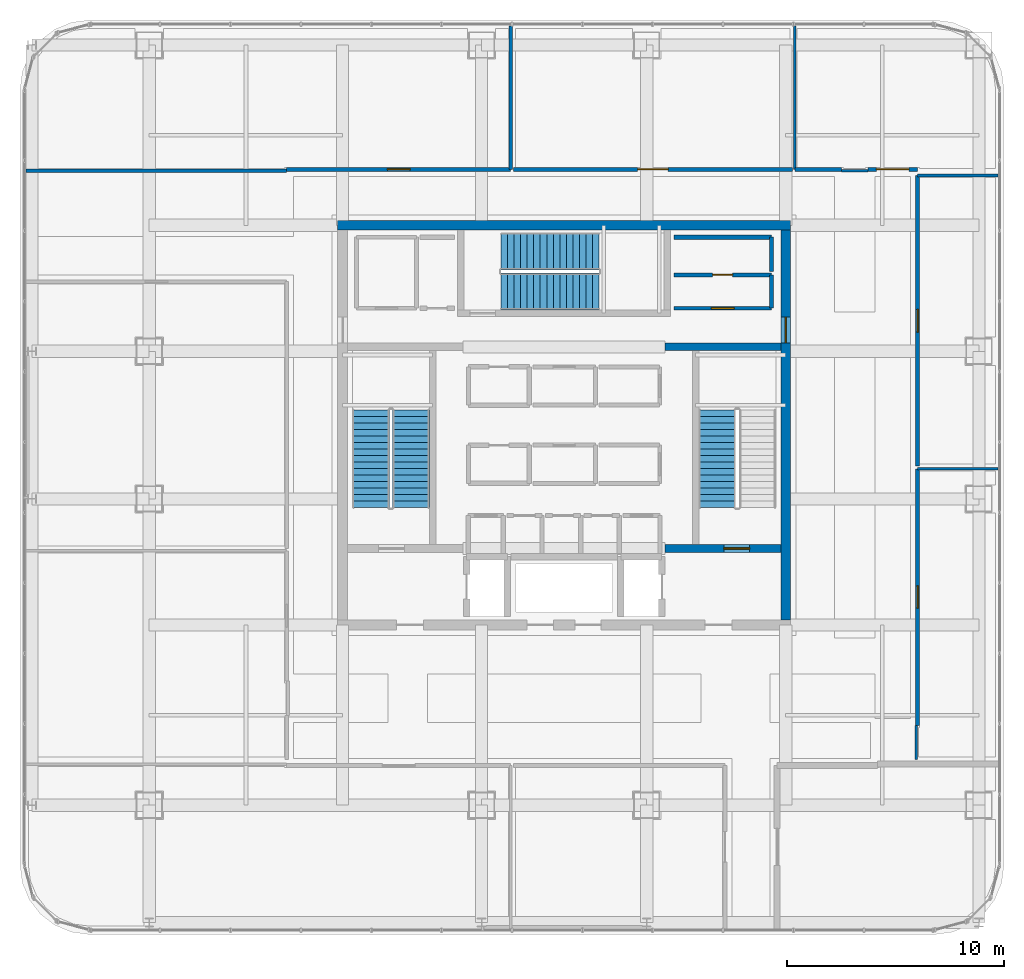
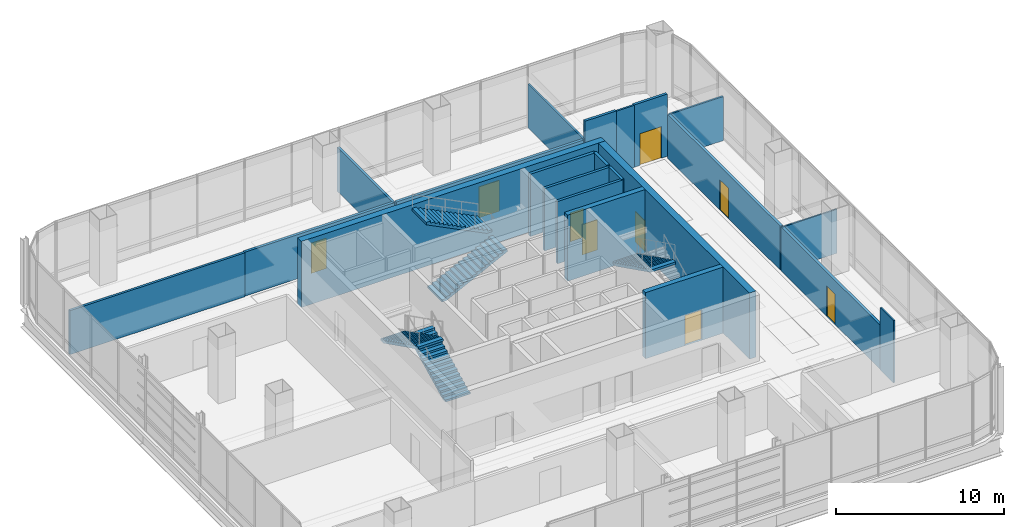
# One storey, part 38 of 45: 22 walls, 9 doors, 5 stair flights, 9 openings, 3 elements without a shape of their own.
"""IFC4 building model written with IfcOpenShell, lengths in metres."""

import ifcopenshell
import ifcopenshell.guid

model = None  # the IFC model being written
_history = None  # IfcOwnerHistory: only IFC2X3 demands one
_inside = {}  # id of a spatial element -> (the spatial element, [elements in it])
_under = {}  # id of a project, library or spatial element -> (it, [spatial elements below it])
_declared = {}  # id of a project -> (the project, [libraries it declares])
_typed = {}  # id of a type object -> (the type object, [elements of that type])
_made_of = {}  # id of a material, layer set ... -> (it, [elements and type objects made of it])


def new_model(schema):
    """Start an empty IFC model of exactly this schema.

    Asked for "IFC4X3", IfcOpenShell would pick the latest addendum, in which some entities
    have other attributes; the version numbers below select the first issue.
    IFC2X3 requires an IfcOwnerHistory on every rooted entity: one is made here for all.
    """
    global model, _history
    if schema == "IFC4X3":
        model = ifcopenshell.file(schema_version=(4, 3, 0, 0))
    else:
        model = ifcopenshell.file(schema=schema)
    _inside.clear()
    _under.clear()
    _declared.clear()
    _typed.clear()
    _made_of.clear()
    _history = None
    if model.schema == "IFC2X3":
        org = make("IfcOrganization", Name="unknown")
        user = make(
            "IfcPersonAndOrganization",
            ThePerson=make("IfcPerson", FamilyName="unknown"),
            TheOrganization=org,
        )
        app = make(
            "IfcApplication",
            ApplicationDeveloper=org,
            Version="unknown",
            ApplicationFullName="unknown",
            ApplicationIdentifier="unknown",
        )
        _history = make(
            "IfcOwnerHistory",
            OwningUser=user,
            OwningApplication=app,
            ChangeAction="ADDED",
            CreationDate=0,
        )
    return model


def make(cls, **values):
    """One entity of the class cls with the attributes given. An attribute that is None is left unset."""
    return model.create_entity(
        cls, **{name: value for name, value in values.items() if value is not None}
    )


def rooted(cls, **values):
    """An entity with a GlobalId (a new one), such as an element, a storey or a relation."""
    return make(cls, GlobalId=ifcopenshell.guid.new(), OwnerHistory=_history, **values)


def si_unit(unit_type, name, prefix=None):
    """IfcSIUnit, for example si_unit("LENGTHUNIT", "METRE", prefix="MILLI")."""
    return make("IfcSIUnit", UnitType=unit_type, Prefix=prefix, Name=name)


def assignment(units):
    """IfcUnitAssignment: the units of a project."""
    return None if units is None else make("IfcUnitAssignment", Units=units)


def point(xyz):
    """IfcCartesianPoint."""
    return None if xyz is None else make("IfcCartesianPoint", Coordinates=xyz)


def direction(xyz):
    """IfcDirection."""
    return None if xyz is None else make("IfcDirection", DirectionRatios=xyz)


def frame(location, z_axis=None, x_axis=None):
    """IfcAxis2Placement3D, a coordinate frame: its origin and axes. An axis left out is left unset."""
    return make(
        "IfcAxis2Placement3D",
        Location=point(location),
        Axis=direction(z_axis),
        RefDirection=direction(x_axis),
    )


def frame_2d(location, x_axis=None):
    """IfcAxis2Placement2D, a coordinate frame in the plane: its origin and x axis."""
    return make(
        "IfcAxis2Placement2D", Location=point(location), RefDirection=direction(x_axis)
    )


def origin():
    """The frame at (0, 0, 0) with its axes left unset."""
    return frame((0.0, 0.0, 0.0))


def place(relative_to, where):
    """IfcLocalPlacement: puts the frame where relative to a parent placement (None: the world)."""
    return make(
        "IfcLocalPlacement", PlacementRelTo=relative_to, RelativePlacement=where
    )


def context(
    kind, dimensions, precision=None, world=None, true_north=None, identifier=None
):
    """IfcGeometricRepresentationContext, for example the 3D "Model" context."""
    return make(
        "IfcGeometricRepresentationContext",
        ContextIdentifier=identifier,
        ContextType=kind,
        CoordinateSpaceDimension=dimensions,
        Precision=precision,
        WorldCoordinateSystem=world,
        TrueNorth=true_north,
    )


def subcontext(parent, identifier, kind, view, scale=None):
    """IfcGeometricRepresentationSubContext, for example "Body" below "Model"."""
    return make(
        "IfcGeometricRepresentationSubContext",
        ContextIdentifier=identifier,
        ContextType=kind,
        ParentContext=parent,
        TargetScale=scale,
        TargetView=view,
    )


def project(units=None, contexts=None):
    """IfcProject with its units and contexts."""
    return rooted(
        "IfcProject",
        Name="project",
        RepresentationContexts=contexts,
        UnitsInContext=assignment(units),
    )


def spatial(cls, under=None, at=None, **own):
    """A site, building, storey or space (cls), placed at a placement, below another one or the project."""
    s = rooted(cls, ObjectPlacement=at, **own)
    if under is not None:
        _under.setdefault(under.id(), (under, []))[1].append(s)
    return s


def polyline(points):
    """IfcPolyline through the points."""
    return make("IfcPolyline", Points=[point(p) for p in points])


def profile(cls, at=None, kind="AREA", **sizes):
    """A parametric profile (cls). Its sizes go by their IFC names, for example OverallWidth=200.0."""
    return make(cls, ProfileType=kind, Position=at, **sizes)


def rectangle(**sizes):
    """IfcRectangleProfileDef."""
    return profile("IfcRectangleProfileDef", **sizes)


def outline(outer, holes=None, kind="AREA"):
    """IfcArbitraryClosedProfileDef: a profile drawn as a closed curve; with holes, ...WithVoids."""
    if holes is None:
        return make("IfcArbitraryClosedProfileDef", ProfileType=kind, OuterCurve=outer)
    return make(
        "IfcArbitraryProfileDefWithVoids",
        ProfileType=kind,
        OuterCurve=outer,
        InnerCurves=holes,
    )


def extrude(swept, where, along, depth):
    """IfcExtrudedAreaSolid: the profile swept, set in the frame where, extruded along a direction by depth."""
    return make(
        "IfcExtrudedAreaSolid",
        SweptArea=swept,
        Position=where,
        ExtrudedDirection=direction(along),
        Depth=depth,
    )


def shape(context_of_items, identifier, shape_type, items):
    """IfcShapeRepresentation: the items that make up one representation, for example the "Body"."""
    return make(
        "IfcShapeRepresentation",
        ContextOfItems=context_of_items,
        RepresentationIdentifier=identifier,
        RepresentationType=shape_type,
        Items=items,
    )


def material(Name=None, Category=None):
    """IfcMaterial."""
    return make("IfcMaterial", Name=Name, Category=Category)


def layer(
    of_material, thickness, ventilated=None, Name=None, Category=None, Priority=None
):
    """IfcMaterialLayer: one layer of a wall or slab, of a material (None: an air gap)."""
    return make(
        "IfcMaterialLayer",
        Material=of_material,
        LayerThickness=thickness,
        IsVentilated=ventilated,
        Name=Name,
        Category=Category,
        Priority=Priority,
    )


def layer_set(layers, Name=None):
    """IfcMaterialLayerSet."""
    return make("IfcMaterialLayerSet", MaterialLayers=layers, LayerSetName=Name)


def made_of(thing, what):
    """Note that an element or type object is made of a material, layer set ...; save() writes the relation."""
    if what is not None:
        _made_of.setdefault(what.id(), (what, []))[1].append(thing)
    return thing


def type_object(cls, material=None, **own):
    """A type object (cls), such as IfcWallType, which elements share."""
    return made_of(rooted(cls, **own), material)


def element(
    cls,
    number,
    at=None,
    inside=None,
    cuts=None,
    type_object=None,
    material=None,
    context=None,
    identifier="Body",
    shape_type=None,
    held_by="IfcProductDefinitionShape",
    body=None,
    shapes=None,
    **own,
):
    """One element of the class cls, such as IfcWall. Its Tag is "e" and its number.

    at: its placement. inside: the storey or other place that contains it. cuts: it is an
    opening in that element (IfcRelVoidsElement). A single representation is given by context,
    identifier, shape_type and body (its items); several are given by shapes. held_by: the class
    of the entity that holds the representations. save() writes the other relations.
    """
    e = rooted(cls, Tag="e%d" % number, ObjectPlacement=at, **own)
    if body is not None:
        shapes = [shape(context, identifier, shape_type, body)]
    if shapes is not None:
        e.Representation = make(held_by, Representations=shapes)
    if inside is not None:
        _inside.setdefault(inside.id(), (inside, []))[1].append(e)
    if cuts is not None:
        rooted(
            "IfcRelVoidsElement", RelatingBuildingElement=cuts, RelatedOpeningElement=e
        )
    if type_object is not None:
        _typed.setdefault(type_object.id(), (type_object, []))[1].append(e)
    return made_of(e, material)


def fill(opening, filler):
    """IfcRelFillsElement: the door or window that sits in an opening."""
    return rooted(
        "IfcRelFillsElement",
        RelatingOpeningElement=opening,
        RelatedBuildingElement=filler,
    )


def aggregate(whole, parts):
    """IfcRelAggregates: a whole, such as a stair, and the parts it consists of."""
    return rooted("IfcRelAggregates", RelatingObject=whole, RelatedObjects=parts)


def save(model, path):
    """Write the relations noted so far, then the file.

    IfcRelAggregates (storeys below a building ...), IfcRelContainedInSpatialStructure (elements
    in a storey), IfcRelDefinesByType, IfcRelAssociatesMaterial and IfcRelDeclares: one each for
    every whole, place, type object, material and project.
    """
    for whole, parts in _under.values():
        aggregate(whole, parts)
    for where, things in _inside.values():
        rooted(
            "IfcRelContainedInSpatialStructure",
            RelatedElements=things,
            RelatingStructure=where,
        )
    for kind, things in _typed.values():
        rooted("IfcRelDefinesByType", RelatedObjects=things, RelatingType=kind)
    for what, things in _made_of.values():
        rooted("IfcRelAssociatesMaterial", RelatedObjects=things, RelatingMaterial=what)
    for by, libraries in _declared.values():
        rooted("IfcRelDeclares", RelatingContext=by, RelatedDefinitions=libraries)
    model.write(path)


model = new_model("IFC4")

# Units and contexts
model_context = context("Model", 3, precision=1e-05, world=origin(), true_north=direction((0.0, 1.0)))
body_context = subcontext(model_context, "Body", "Model", "MODEL_VIEW")
ifc_project = project(units=[si_unit("LENGTHUNIT", "METRE"), si_unit("AREAUNIT", "SQUARE_METRE"), si_unit("VOLUMEUNIT", "CUBIC_METRE"), si_unit("PLANEANGLEUNIT", "RADIAN"), si_unit("MASSUNIT", "GRAM", prefix="KILO")], contexts=[model_context])

# Site, building, storey
site_placement = place(None, origin())
site = spatial("IfcSite", under=ifc_project, at=site_placement, CompositionType="ELEMENT")
building_placement = place(site_placement, origin())
building = spatial("IfcBuilding", under=site, at=building_placement, Name="Punatoya Terracotta Tower", CompositionType="ELEMENT")
storey_placement = place(building_placement, frame((0.0, 0.0, 339.0)))
storey = spatial("IfcBuildingStorey", under=building, at=storey_placement, Name="L80", CompositionType="ELEMENT", Elevation=339.0)

# Wall
ifc_material_1 = material(Name="Concrete C50/60", Category="concrete")
ifc_layer_1 = layer(ifc_material_1, 0.449951171875)
ifc_layer_set_1 = layer_set([ifc_layer_1], Name="Concrete C50/60")
wall_type_1 = type_object("IfcWallType", Name="WL-COR-450", PredefinedType="SHEAR", material=ifc_layer_set_1)
wall_1_placement = place(storey_placement, frame((-10.425048828125, 9.199951171875, 0.0), z_axis=(0.0, 0.0, 1.0), x_axis=(1.0, 0.0, 0.0)))
element("IfcWall", 1, at=wall_1_placement, inside=storey, type_object=wall_type_1, Name="L80 Core Shear Wall N", PredefinedType="SHEAR", context=body_context, shape_type="SweptSolid", body=[
    extrude(rectangle(XDim=20.85009765625, YDim=0.449951171875, at=frame_2d((10.425048828125, 0.0))), origin(), (0.0, 0.0, 1.0), 4.800048828125),
])

# Wall, opening, door
wall_2_placement = place(storey_placement, frame((10.199951171875, 8.97509765625, 0.0), z_axis=(0.0, 0.0, 1.0), x_axis=(0.0, -1.0, 0.0)))
wall_2 = element("IfcWall", 2, at=wall_2_placement, inside=storey, type_object=wall_type_1, Name="L80 Core Shear Wall E", PredefinedType="SHEAR", context=body_context, shape_type="SweptSolid", body=[
    extrude(rectangle(XDim=17.9501953125, YDim=0.449951171875, at=frame_2d((8.97509765625, 0.0))), origin(), (0.0, 0.0, 1.0), 4.800048828125),
])
opening_1_placement = place(wall_2_placement, frame((4.0048828125, 0.0, 0.0)))
opening_1 = element("IfcOpeningElement", 3, at=opening_1_placement, cuts=wall_2, Name="Opening SD-01", PredefinedType="OPENING", context=body_context, shape_type="SweptSolid", body=[
    extrude(rectangle(XDim=1.179931640625, YDim=2.199951171875, at=frame_2d((0.58984375, 1.10009765625))), frame((0.0, 0.23486328125, 0.0), z_axis=(0.0, -1.0, 0.0), x_axis=(1.0, 0.0, 0.0)), (0.0, 0.0, 1.0), 0.469970703125),
])
ifc_material_2 = material(Name="Galvanised Steel Pressurized Stair Fire Door", Category="steel")
door_type_1 = type_object("IfcDoorType", Name="DR-STR-1180", OperationType="NOTDEFINED", PredefinedType="DOOR", material=ifc_material_2)
door_1_placement = place(opening_1_placement, origin())
door_1 = element("IfcDoor", 4, at=door_1_placement, inside=storey, type_object=door_type_1, Name="L80 Central Lift Lobby East Fire Door", OperationType="SINGLE_SWING_RIGHT", OverallHeight=2.199951171875, OverallWidth=1.179931640625, PredefinedType="DOOR", context=body_context, shape_type="SweptSolid", body=[
    extrude(rectangle(XDim=1.179931640625, YDim=2.199951171875, at=frame_2d((0.58984375, 1.10009765625))), frame((0.0, 0.02490234375, 0.0), z_axis=(0.0, -1.0, 0.0), x_axis=(1.0, 0.0, 0.0)), (0.0, 0.0, 1.0), 0.050048828125),
])
fill(opening_1, door_1)

# Wall
ifc_material_3 = material(Name="Gypsum Fireboard + Steel Stud", Category="steel")
ifc_layer_2 = layer(ifc_material_3, 0.179931640625)
ifc_layer_set_2 = layer_set([ifc_layer_2], Name="Gypsum Fireboard + Steel Stud")
wall_type_2 = type_object("IfcWallType", Name="WL-CORR-180", PredefinedType="PARTITIONING", material=ifc_layer_set_2)
wall_3_placement = place(storey_placement, frame((9.550048828125, 5.3798828125, 0.0), z_axis=(0.0, 0.0, 1.0), x_axis=(0.0, 1.0, 0.0)))
element("IfcWall", 5, at=wall_3_placement, inside=storey, type_object=wall_type_2, Name="L80 East Core Reference Room Partition 38", PredefinedType="PARTITIONING", context=body_context, shape_type="SweptSolid", body=[
    extrude(rectangle(XDim=1.5400390625, YDim=0.179931640625, at=frame_2d((0.77001953125, 0.0))), origin(), (0.0, 0.0, 1.0), 4.52001953125),
])

# Wall, opening, door
wall_4_placement = place(storey_placement, frame((9.550048828125, 6.919921875, 0.0), z_axis=(0.0, 0.0, 1.0), x_axis=(-1.0, 0.0, 0.0)))
wall_4 = element("IfcWall", 6, at=wall_4_placement, inside=storey, type_object=wall_type_2, Name="L80 East Core Reference Room Partition 39", PredefinedType="PARTITIONING", context=body_context, shape_type="SweptSolid", body=[
    extrude(rectangle(XDim=4.5, YDim=0.179931640625, at=frame_2d((2.25, 0.0))), origin(), (0.0, 0.0, 1.0), 4.52001953125),
])
opening_2_placement = place(wall_4_placement, frame((1.7900390625, 0.0, 0.0)))
opening_2 = element("IfcOpeningElement", 7, at=opening_2_placement, cuts=wall_4, Name="Opening FD-R1", PredefinedType="OPENING", context=body_context, shape_type="SweptSolid", body=[
    extrude(rectangle(XDim=0.919921875, YDim=2.10009765625, at=frame_2d((0.4599609375, 1.050048828125))), frame((0.0, 0.099853515625, 0.0), z_axis=(0.0, -1.0, 0.0), x_axis=(1.0, 0.0, 0.0)), (0.0, 0.0, 1.0), 0.199951171875),
])
ifc_material_4 = material(Name="Galvanised Steel Riser Fire Access Door", Category="steel")
door_type_2 = type_object("IfcDoorType", Name="DR-RSR-920", OperationType="NOTDEFINED", PredefinedType="DOOR", material=ifc_material_4)
door_2_placement = place(opening_2_placement, origin())
door_2 = element("IfcDoor", 8, at=door_2_placement, inside=storey, type_object=door_type_2, Name="L80 East Core Supply Store Fire Door", OperationType="SINGLE_SWING_RIGHT", OverallHeight=2.10009765625, OverallWidth=0.919921875, PredefinedType="DOOR", context=body_context, shape_type="SweptSolid", body=[
    extrude(rectangle(XDim=0.919921875, YDim=2.10009765625, at=frame_2d((0.4599609375, 1.050048828125))), frame((0.0, 0.02490234375, 0.0), z_axis=(0.0, -1.0, 0.0), x_axis=(1.0, 0.0, 0.0)), (0.0, 0.0, 1.0), 0.050048828125),
])
fill(opening_2, door_2)

wall_5_placement = place(storey_placement, frame((5.050048828125, 5.3798828125, 0.0), z_axis=(0.0, 0.0, 1.0), x_axis=(1.0, 0.0, 0.0)))
wall_5 = element("IfcWall", 9, at=wall_5_placement, inside=storey, type_object=wall_type_2, Name="L80 East Core Reference Room Partition 40", PredefinedType="PARTITIONING", context=body_context, shape_type="SweptSolid", body=[
    extrude(rectangle(XDim=4.5, YDim=0.179931640625, at=frame_2d((2.25, 0.0))), origin(), (0.0, 0.0, 1.0), 4.52001953125),
])
opening_3_placement = place(wall_5_placement, frame((1.72509765625, 0.0, 0.0)))
opening_3 = element("IfcOpeningElement", 10, at=opening_3_placement, cuts=wall_5, Name="Opening OD-01", PredefinedType="OPENING", context=body_context, shape_type="SweptSolid", body=[
    extrude(rectangle(XDim=1.050048828125, YDim=2.199951171875, at=frame_2d((0.52490234375, 1.10009765625))), frame((0.0, 0.099853515625, 0.0), z_axis=(0.0, -1.0, 0.0), x_axis=(1.0, 0.0, 0.0)), (0.0, 0.0, 1.0), 0.199951171875),
])
ifc_material_5 = material(Name="Bengal Teak Solid-Core Leaf")
door_type_3 = type_object("IfcDoorType", Name="DR-OFF-1050", OperationType="NOTDEFINED", PredefinedType="DOOR", material=ifc_material_5)
door_3_placement = place(opening_3_placement, origin())
door_3 = element("IfcDoor", 11, at=door_3_placement, inside=storey, type_object=door_type_3, Name="L80 East Reference Room Door", OperationType="SINGLE_SWING_LEFT", OverallHeight=2.199951171875, OverallWidth=1.050048828125, PredefinedType="DOOR", context=body_context, shape_type="SweptSolid", body=[
    extrude(rectangle(XDim=1.050048828125, YDim=2.199951171875, at=frame_2d((0.52490234375, 1.10009765625))), frame((0.0, 0.02490234375, 0.0), z_axis=(0.0, -1.0, 0.0), x_axis=(1.0, 0.0, 0.0)), (0.0, 0.0, 1.0), 0.050048828125),
])
fill(opening_3, door_3)

wall_6_placement = place(storey_placement, frame((16.27001953125, -13.820068359375, 0.0), z_axis=(0.0, 0.0, 1.0), x_axis=(0.0, 1.0, 0.0)))
wall_6 = element("IfcWall", 12, at=wall_6_placement, inside=storey, type_object=wall_type_2, Name="L80 Open-Plan Public Lookout Seminar Room Partition 56", PredefinedType="PARTITIONING", context=body_context, shape_type="SweptSolid", body=[
    extrude(rectangle(XDim=11.81005859375, YDim=0.179931640625, at=frame_2d((5.905029296875, 0.0))), origin(), (0.0, 0.0, 1.0), 3.194091796875),
])
opening_4_placement = place(wall_6_placement, frame((5.39501953125, 0.0, 0.0)))
opening_4 = element("IfcOpeningElement", 13, at=opening_4_placement, cuts=wall_6, Name="Opening MD-01", PredefinedType="OPENING", context=body_context, shape_type="SweptSolid", body=[
    extrude(rectangle(XDim=1.02001953125, YDim=2.199951171875, at=frame_2d((0.510009765625, 1.10009765625))), frame((0.0, 0.099853515625, 0.0), z_axis=(0.0, -1.0, 0.0), x_axis=(1.0, 0.0, 0.0)), (0.0, 0.0, 1.0), 0.199951171875),
])
ifc_material_6 = material(Name="Aluminium + Acoustic Glass Leaf", Category="aluminium")
door_type_4 = type_object("IfcDoorType", Name="DR-MTG-1020", OperationType="NOTDEFINED", PredefinedType="DOOR", material=ifc_material_6)
door_4_placement = place(opening_4_placement, origin())
door_4 = element("IfcDoor", 14, at=door_4_placement, inside=storey, type_object=door_type_4, Name="L80 Open-Plan Public Lookout Seminar Room Door", OperationType="SINGLE_SWING_LEFT", OverallHeight=2.199951171875, OverallWidth=1.02001953125, PredefinedType="DOOR", context=body_context, shape_type="SweptSolid", body=[
    extrude(rectangle(XDim=1.02001953125, YDim=2.199951171875, at=frame_2d((0.510009765625, 1.10009765625))), frame((0.0, 0.02490234375, 0.0), z_axis=(0.0, -1.0, 0.0), x_axis=(1.0, 0.0, 0.0)), (0.0, 0.0, 1.0), 0.050048828125),
])
fill(opening_4, door_4)

wall_7_placement = place(storey_placement, frame((16.27001953125, -1.889892578125, 0.0), z_axis=(0.0, 0.0, 1.0), x_axis=(0.0, 1.0, 0.0)))
wall_7 = element("IfcWall", 15, at=wall_7_placement, inside=storey, type_object=wall_type_2, Name="L80 Open-Plan Visitors' Wellness Lounge Partition 60", PredefinedType="PARTITIONING", context=body_context, shape_type="SweptSolid", body=[
    extrude(rectangle(XDim=13.3798828125, YDim=0.179931640625, at=frame_2d((6.68994140625, 0.0))), origin(), (0.0, 0.0, 1.0), 3.194091796875),
])
opening_5_placement = place(wall_7_placement, frame((6.1650390625, 0.0, 0.0)))
opening_5 = element("IfcOpeningElement", 16, at=opening_5_placement, cuts=wall_7, Name="Opening OD-01", PredefinedType="OPENING", context=body_context, shape_type="SweptSolid", body=[
    extrude(rectangle(XDim=1.050048828125, YDim=2.199951171875, at=frame_2d((0.52490234375, 1.10009765625))), frame((0.0, 0.099853515625, 0.0), z_axis=(0.0, -1.0, 0.0), x_axis=(1.0, 0.0, 0.0)), (0.0, 0.0, 1.0), 0.199951171875),
])
door_5_placement = place(opening_5_placement, origin())
door_5 = element("IfcDoor", 17, at=door_5_placement, inside=storey, type_object=door_type_3, Name="L80 Open-Plan Visitors' Wellness Lounge Door", OperationType="SINGLE_SWING_LEFT", OverallHeight=2.199951171875, OverallWidth=1.050048828125, PredefinedType="DOOR", context=body_context, shape_type="SweptSolid", body=[
    extrude(rectangle(XDim=1.050048828125, YDim=2.199951171875, at=frame_2d((0.52490234375, 1.10009765625))), frame((0.0, 0.02490234375, 0.0), z_axis=(0.0, -1.0, 0.0), x_axis=(1.0, 0.0, 0.0)), (0.0, 0.0, 1.0), 0.050048828125),
])
fill(opening_5, door_5)

wall_8_placement = place(storey_placement, frame((-2.4599609375, 11.77001953125, 0.0), z_axis=(0.0, 0.0, 1.0), x_axis=(-1.0, 0.0, 0.0)))
wall_8 = element("IfcWall", 18, at=wall_8_placement, inside=storey, type_object=wall_type_2, Name="L80 Open-Plan Horizon Tea Pantry Partition 63", PredefinedType="PARTITIONING", context=body_context, shape_type="SweptSolid", body=[
    extrude(rectangle(XDim=10.31005859375, YDim=0.179931640625, at=frame_2d((5.155029296875, 0.0))), origin(), (0.0, 0.0, 1.0), 3.194091796875),
])
opening_6_placement = place(wall_8_placement, frame((4.6298828125, 0.0, 0.0)))
opening_6 = element("IfcOpeningElement", 19, at=opening_6_placement, cuts=wall_8, Name="Opening OD-01", PredefinedType="OPENING", context=body_context, shape_type="SweptSolid", body=[
    extrude(rectangle(XDim=1.050048828125, YDim=2.199951171875, at=frame_2d((0.52490234375, 1.10009765625))), frame((0.0, 0.099853515625, 0.0), z_axis=(0.0, -1.0, 0.0), x_axis=(1.0, 0.0, 0.0)), (0.0, 0.0, 1.0), 0.199951171875),
])
door_6_placement = place(opening_6_placement, origin())
door_6 = element("IfcDoor", 20, at=door_6_placement, inside=storey, type_object=door_type_3, Name="L80 Open-Plan Horizon Tea Pantry Door", OperationType="SINGLE_SWING_RIGHT", OverallHeight=2.199951171875, OverallWidth=1.050048828125, PredefinedType="DOOR", context=body_context, shape_type="SweptSolid", body=[
    extrude(rectangle(XDim=1.050048828125, YDim=2.199951171875, at=frame_2d((0.52490234375, 1.10009765625))), frame((0.0, 0.02490234375, 0.0), z_axis=(0.0, -1.0, 0.0), x_axis=(1.0, 0.0, 0.0)), (0.0, 0.0, 1.0), 0.050048828125),
])
fill(opening_6, door_6)

wall_9_placement = place(storey_placement, frame((16.27001953125, 11.77001953125, 0.0), z_axis=(0.0, 0.0, 1.0), x_axis=(-1.0, 0.0, 0.0)))
wall_9 = element("IfcWall", 21, at=wall_9_placement, inside=storey, type_object=wall_type_2, Name="L80 Open-Plan Waterfront Observation Gallery Partition 65", PredefinedType="PARTITIONING", context=body_context, shape_type="SweptSolid", body=[
    extrude(rectangle(XDim=2.2900390625, YDim=0.179931640625, at=frame_2d((1.14501953125, 0.0))), origin(), (0.0, 0.0, 1.0), 4.52001953125),
])
opening_7_placement = place(wall_9_placement, frame((0.39501953125, 0.0, 0.0)))
opening_7 = element("IfcOpeningElement", 22, at=opening_7_placement, cuts=wall_9, Name="Opening ED-01", PredefinedType="OPENING", context=body_context, shape_type="SweptSolid", body=[
    extrude(rectangle(XDim=1.5, YDim=2.300048828125, at=frame_2d((0.75, 1.14990234375))), frame((0.0, 0.099853515625, 0.0), z_axis=(0.0, -1.0, 0.0), x_axis=(1.0, 0.0, 0.0)), (0.0, 0.0, 1.0), 0.199951171875),
])
ifc_material_7 = material(Name="Bengal Teak Fire-Resisting Double Leaf")
door_type_5 = type_object("IfcDoorType", Name="DR-EXEC-1500", OperationType="NOTDEFINED", PredefinedType="DOOR", material=ifc_material_7)
door_7_placement = place(opening_7_placement, origin())
door_7 = element("IfcDoor", 23, at=door_7_placement, inside=storey, type_object=door_type_5, Name="L80 Open-Plan Waterfront Observation Gallery Fire Door", OperationType="DOUBLE_DOOR_SINGLE_SWING", OverallHeight=2.300048828125, OverallWidth=1.5, PredefinedType="DOOR", context=body_context, shape_type="SweptSolid", body=[
    extrude(rectangle(XDim=1.5, YDim=2.300048828125, at=frame_2d((0.75, 1.14990234375))), frame((0.0, 0.02490234375, 0.0), z_axis=(0.0, -1.0, 0.0), x_axis=(1.0, 0.0, 0.0)), (0.0, 0.0, 1.0), 0.050048828125),
])
fill(opening_7, door_7)

# Wall
wall_10_placement = place(storey_placement, frame((12.77001953125, 11.77001953125, 0.0), z_axis=(0.0, 0.0, 1.0), x_axis=(-1.0, 0.0, 0.0)))
element("IfcWall", 24, at=wall_10_placement, inside=storey, type_object=wall_type_2, Name="L80 Open-Plan Waterfront Observation Gallery Partition 67", PredefinedType="PARTITIONING", context=body_context, shape_type="SweptSolid", body=[
    extrude(rectangle(XDim=2.14599609375, YDim=0.179931640625, at=frame_2d((1.072998046875, 0.0))), origin(), (0.0, 0.0, 1.0), 4.52001953125),
])

# Wall, opening, door
wall_11_placement = place(storey_placement, frame((10.50390625, 11.77001953125, 0.0), z_axis=(0.0, 0.0, 1.0), x_axis=(-1.0, 0.0, 0.0)))
wall_11 = element("IfcWall", 25, at=wall_11_placement, inside=storey, type_object=wall_type_2, Name="L80 Open-Plan Heritage Collections Curatorial Study Partition 69", PredefinedType="PARTITIONING", context=body_context, shape_type="SweptSolid", body=[
    extrude(rectangle(XDim=12.843994140625, YDim=0.179931640625, at=frame_2d((6.421875, 0.0))), origin(), (0.0, 0.0, 1.0), 3.194091796875),
])
opening_8_placement = place(wall_11_placement, frame((5.721923828125, 0.0, 0.0)))
opening_8 = element("IfcOpeningElement", 26, at=opening_8_placement, cuts=wall_11, Name="Opening BD-01", PredefinedType="OPENING", context=body_context, shape_type="SweptSolid", body=[
    extrude(rectangle(XDim=1.39990234375, YDim=2.25, at=frame_2d((0.699951171875, 1.125))), frame((0.0, 0.099853515625, 0.0), z_axis=(0.0, -1.0, 0.0), x_axis=(1.0, 0.0, 0.0)), (0.0, 0.0, 1.0), 0.199951171875),
])
ifc_material_8 = material(Name="Bengal Teak Acoustic Leaf")
door_type_6 = type_object("IfcDoorType", Name="DR-BRD-1400", OperationType="NOTDEFINED", PredefinedType="DOOR", material=ifc_material_8)
door_8_placement = place(opening_8_placement, origin())
door_8 = element("IfcDoor", 27, at=door_8_placement, inside=storey, type_object=door_type_6, Name="L80 Open-Plan Heritage Collections Curatorial Study Door", OperationType="SINGLE_SWING_RIGHT", OverallHeight=2.25, OverallWidth=1.39990234375, PredefinedType="DOOR", context=body_context, shape_type="SweptSolid", body=[
    extrude(rectangle(XDim=1.39990234375, YDim=2.25, at=frame_2d((0.699951171875, 1.125))), frame((0.0, 0.02490234375, 0.0), z_axis=(0.0, -1.0, 0.0), x_axis=(1.0, 0.0, 0.0)), (0.0, 0.0, 1.0), 0.050048828125),
])
fill(opening_8, door_8)

# Walls
ifc_material_9 = material(Name="Aluminium Framed Acoustic Glass Partition", Category="aluminium")
ifc_layer_3 = layer(ifc_material_9, 0.10009765625)
ifc_layer_set_3 = layer_set([ifc_layer_3], Name="Aluminium Framed Acoustic Glass Partition")
wall_type_3 = type_object("IfcWallType", Name="WL-GLZ-100", PredefinedType="PARTITIONING", material=ifc_layer_set_3)
wall_12_placement = place(storey_placement, frame((16.2099609375, -15.389892578125, 0.0), z_axis=(0.0, 0.0, 1.0), x_axis=(0.0, 1.0, 0.0)))
element("IfcWall", 28, at=wall_12_placement, inside=storey, type_object=wall_type_3, Name="L80 Open-Plan Public Lookout Seminar Room Partition 55", PredefinedType="PARTITIONING", context=body_context, shape_type="SweptSolid", body=[
    extrude(rectangle(XDim=1.56982421875, YDim=0.10009765625, at=frame_2d((0.784912109375, 0.0))), origin(), (0.0, 0.0, 1.0), 4.52001953125),
])
wall_13_placement = place(storey_placement, frame((16.27001953125, -2.010009765625, 0.0), z_axis=(0.0, 0.0, 1.0), x_axis=(1.0, 0.0, 0.0)))
element("IfcWall", 29, at=wall_13_placement, inside=storey, type_object=wall_type_3, Name="L80 Open-Plan Public Lookout Seminar Room Partition 57", PredefinedType="PARTITIONING", context=body_context, shape_type="SweptSolid", body=[
    extrude(rectangle(XDim=3.699951171875, YDim=0.10009765625, at=frame_2d((1.85009765625, 0.0))), origin(), (0.0, 0.0, 1.0), 3.194091796875),
])
ifc_material_10 = material(Name="Concrete C40/50", Category="concrete")
ifc_layer_4 = layer(ifc_material_10, 0.199951171875)
ifc_layer_set_4 = layer_set([ifc_layer_4], Name="Concrete C40/50")
wall_type_4 = type_object("IfcWallType", Name="WL-INT-200", PredefinedType="SOLIDWALL", material=ifc_layer_set_4)
wall_14_placement = place(storey_placement, frame((9.550048828125, 7.080078125, 0.0), z_axis=(0.0, 0.0, 1.0), x_axis=(0.0, 1.0, 0.0)))
element("IfcWall", 30, at=wall_14_placement, inside=storey, type_object=wall_type_4, Name="L80 East Core Supply Store Partition 41", PredefinedType="SOLIDWALL", context=body_context, shape_type="SweptSolid", body=[
    extrude(rectangle(XDim=1.56982421875, YDim=0.199951171875, at=frame_2d((0.784912109375, 0.0))), origin(), (0.0, 0.0, 1.0), 4.52001953125),
])
wall_15_placement = place(storey_placement, frame((9.550048828125, 8.64990234375, 0.0), z_axis=(0.0, 0.0, 1.0), x_axis=(-1.0, 0.0, 0.0)))
element("IfcWall", 31, at=wall_15_placement, inside=storey, type_object=wall_type_4, Name="L80 East Core Supply Store Partition 42", PredefinedType="SOLIDWALL", context=body_context, shape_type="SweptSolid", body=[
    extrude(rectangle(XDim=4.5, YDim=0.199951171875, at=frame_2d((2.25, 0.0))), origin(), (0.0, 0.0, 1.0), 4.52001953125),
])
ifc_material_11 = material(Name="Gypsum Partition + Steel Stud", Category="steel")
ifc_layer_5 = layer(ifc_material_11, 0.1201171875)
ifc_layer_set_5 = layer_set([ifc_layer_5], Name="Gypsum Partition + Steel Stud")
wall_type_5 = type_object("IfcWallType", Name="WL-OFF-120", PredefinedType="PARTITIONING", material=ifc_layer_set_5)
wall_16_placement = place(storey_placement, frame((16.27001953125, 11.489990234375, 0.0), z_axis=(0.0, 0.0, 1.0), x_axis=(1.0, 0.0, 0.0)))
element("IfcWall", 32, at=wall_16_placement, inside=storey, type_object=wall_type_5, Name="L80 Open-Plan Visitors' Wellness Lounge Partition 61", PredefinedType="PARTITIONING", context=body_context, shape_type="SweptSolid", body=[
    extrude(rectangle(XDim=3.699951171875, YDim=0.1201171875, at=frame_2d((1.85009765625, 0.0))), origin(), (0.0, 0.0, 1.0), 3.194091796875),
])
wall_17_placement = place(storey_placement, frame((13.97998046875, 11.7099609375, 0.0), z_axis=(0.0, 0.0, 1.0), x_axis=(-1.0, 0.0, 0.0)))
element("IfcWall", 33, at=wall_17_placement, inside=storey, type_object=wall_type_5, Name="L80 Open-Plan Waterfront Observation Gallery Partition 66", PredefinedType="PARTITIONING", context=body_context, shape_type="SweptSolid", body=[
    extrude(rectangle(XDim=1.2099609375, YDim=0.1201171875, at=frame_2d((0.60498046875, 0.0))), origin(), (0.0, 0.0, 1.0), 4.52001953125),
])
wall_18_placement = place(storey_placement, frame((10.6240234375, 11.77001953125, 0.0), z_axis=(0.0, 0.0, 1.0), x_axis=(0.0, 1.0, 0.0)))
element("IfcWall", 34, at=wall_18_placement, inside=storey, type_object=wall_type_5, Name="L80 Open-Plan Waterfront Observation Gallery Partition 68", PredefinedType="PARTITIONING", context=body_context, shape_type="SweptSolid", body=[
    extrude(rectangle(XDim=6.60009765625, YDim=0.1201171875, at=frame_2d((3.300048828125, 0.0))), origin(), (0.0, 0.0, 1.0), 3.194091796875),
])

# Wall, opening, door
ifc_layer_6 = layer(ifc_material_1, 0.35009765625)
ifc_layer_set_6 = layer_set([ifc_layer_6], Name="Concrete C50/60")
wall_type_6 = type_object("IfcWallType", Name="WL-SHF-350", PredefinedType="SOLIDWALL", material=ifc_layer_set_6)
wall_19_placement = place(storey_placement, frame((4.64990234375, -5.679931640625, 0.0), z_axis=(0.0, 0.0, 1.0), x_axis=(1.0, 0.0, 0.0)))
wall_19 = element("IfcWall", 35, at=wall_19_placement, inside=storey, type_object=wall_type_6, Name="L80 Core Web Wall CSW-R", PredefinedType="SOLIDWALL", context=body_context, shape_type="SweptSolid", body=[
    extrude(rectangle(XDim=5.3251953125, YDim=0.35009765625, at=frame_2d((2.66259765625, 0.0))), origin(), (0.0, 0.0, 1.0), 4.800048828125),
])
opening_9_placement = place(wall_19_placement, frame((2.7099609375, 0.0, 0.0)))
opening_9 = element("IfcOpeningElement", 36, at=opening_9_placement, cuts=wall_19, Name="Opening SD-01", PredefinedType="OPENING", context=body_context, shape_type="SweptSolid", body=[
    extrude(rectangle(XDim=1.179931640625, YDim=2.199951171875, at=frame_2d((0.58984375, 1.10009765625))), frame((0.0, 0.18505859375, 0.0), z_axis=(0.0, -1.0, 0.0), x_axis=(1.0, 0.0, 0.0)), (0.0, 0.0, 1.0), 0.3701171875),
])
door_9_placement = place(opening_9_placement, origin())
door_9 = element("IfcDoor", 37, at=door_9_placement, inside=storey, type_object=door_type_1, Name="L80 Stair ST-2 Smokeproof Lobby Fire Door", OperationType="SINGLE_SWING_RIGHT", OverallHeight=2.199951171875, OverallWidth=1.179931640625, PredefinedType="DOOR", context=body_context, shape_type="SweptSolid", body=[
    extrude(rectangle(XDim=1.179931640625, YDim=2.199951171875, at=frame_2d((0.58984375, 1.10009765625))), frame((0.0, 0.02490234375, 0.0), z_axis=(0.0, -1.0, 0.0), x_axis=(1.0, 0.0, 0.0)), (0.0, 0.0, 1.0), 0.050048828125),
])
fill(opening_9, door_9)

# Walls
wall_20_placement = place(storey_placement, frame((4.64990234375, 3.60009765625, 0.0), z_axis=(0.0, 0.0, 1.0), x_axis=(1.0, 0.0, 0.0)))
element("IfcWall", 38, at=wall_20_placement, inside=storey, type_object=wall_type_6, Name="L80 Core Web Wall CNW-R", PredefinedType="SOLIDWALL", context=body_context, shape_type="SweptSolid", body=[
    extrude(rectangle(XDim=5.3251953125, YDim=0.35009765625, at=frame_2d((2.66259765625, 0.0))), origin(), (0.0, 0.0, 1.0), 4.800048828125),
])
ifc_material_12 = material(Name="Masonry Blockwork + Ceramic Tile", Category="masonry")
ifc_layer_7 = layer(ifc_material_12, 0.159912109375)
ifc_layer_set_7 = layer_set([ifc_layer_7], Name="Masonry Blockwork + Ceramic Tile")
wall_type_7 = type_object("IfcWallType", Name="WL-WET-160", PredefinedType="PARTITIONING", material=ifc_layer_set_7)
wall_21_placement = place(storey_placement, frame((-2.4599609375, 18.3701171875, 0.0), z_axis=(0.0, 0.0, 1.0), x_axis=(0.0, -1.0, 0.0)))
element("IfcWall", 39, at=wall_21_placement, inside=storey, type_object=wall_type_7, Name="L80 Open-Plan Horizon Tea Pantry Partition 62", PredefinedType="PARTITIONING", context=body_context, shape_type="SweptSolid", body=[
    extrude(rectangle(XDim=6.60009765625, YDim=0.159912109375, at=frame_2d((3.300048828125, 0.0))), origin(), (0.0, 0.0, 1.0), 3.194091796875),
])
wall_22_placement = place(storey_placement, frame((-12.77001953125, 11.7099609375, 0.0), z_axis=(0.0, 0.0, 1.0), x_axis=(-1.0, 0.0, 0.0)))
element("IfcWall", 40, at=wall_22_placement, inside=storey, type_object=wall_type_7, Name="L80 Open-Plan Horizon Tea Pantry Partition 64", PredefinedType="PARTITIONING", context=body_context, shape_type="SweptSolid", body=[
    extrude(rectangle(XDim=12.0, YDim=0.159912109375, at=frame_2d((6.0, 0.0))), origin(), (0.0, 0.0, 1.0), 3.194091796875),
])

# Stair, stair flights
stair_type_1 = type_object("IfcStairType", Name="STR-CORE-1550", PredefinedType="HALF_TURN_STAIR", material=ifc_material_10)
stair_1_placement = place(storey_placement, origin())
stair_1 = element("IfcStair", 41, at=stair_1_placement, inside=storey, type_object=stair_type_1, Name="L80 Protected Core Exit Stair ST-1", PredefinedType="HALF_TURN_STAIR")
stair_flight_type_1 = type_object("IfcStairFlightType", Name="SFL-CORE-1550", PredefinedType="STRAIGHT", material=ifc_material_10)
stair_flight_1_placement = place(storey_placement, frame((-7.050048828125, -3.800048828125, 0.0), z_axis=(0.0, 0.0, 1.0), x_axis=(0.0, 1.0, 0.0)))
stair_flight_1 = element("IfcStairFlight", 42, at=stair_flight_1_placement, type_object=stair_flight_type_1, Name="ST-1 flight 1", NumberOfRisers=16, NumberOfTreads=15, PredefinedType="STRAIGHT", RiserHeight=0.15, TreadLength=0.3, context=body_context, shape_type="SweptSolid", body=[
    extrude(outline(polyline([(0.0, 0.0), (0.0, 0.14990234375), (0.300048828125, 0.14990234375), (0.300048828125, 0.300048828125), (0.60009765625, 0.300048828125), (0.60009765625, 0.449951171875), (0.89990234375, 0.449951171875), (0.89990234375, 0.60009765625), (1.199951171875, 0.60009765625), (1.199951171875, 0.75), (1.5, 0.75), (1.5, 0.89990234375), (1.800048828125, 0.89990234375), (1.800048828125, 1.050048828125), (2.10009765625, 1.050048828125), (2.10009765625, 1.199951171875), (2.39990234375, 1.199951171875), (2.39990234375, 1.35009765625), (2.699951171875, 1.35009765625), (2.699951171875, 1.5), (3.0, 1.5), (3.0, 1.64990234375), (3.300048828125, 1.64990234375), (3.300048828125, 1.800048828125), (3.60009765625, 1.800048828125), (3.60009765625, 1.949951171875), (3.89990234375, 1.949951171875), (3.89990234375, 2.10009765625), (4.199951171875, 2.10009765625), (4.199951171875, 2.25), (4.5, 2.25), (4.5, 2.39990234375), (4.5, 2.08251953125), (0.335205078125, 0.0), (0.0, 0.0)])), frame((0.0, 0.85009765625, 0.0), z_axis=(0.0, -1.0, 0.0), x_axis=(1.0, 0.0, 0.0)), (0.0, 0.0, 1.0), 1.699951171875),
])
stair_flight_2_placement = place(storey_placement, frame((-8.89990234375, 0.699951171875, 2.39990234375), z_axis=(0.0, 0.0, 1.0), x_axis=(0.0, -1.0, 0.0)))
stair_flight_2 = element("IfcStairFlight", 43, at=stair_flight_2_placement, type_object=stair_flight_type_1, Name="ST-1 flight 2", NumberOfRisers=16, NumberOfTreads=15, PredefinedType="STRAIGHT", RiserHeight=0.15, TreadLength=0.3, context=body_context, shape_type="SweptSolid", body=[
    extrude(outline(polyline([(0.0, 0.0), (0.0, 0.14990234375), (0.300048828125, 0.14990234375), (0.300048828125, 0.300048828125), (0.60009765625, 0.300048828125), (0.60009765625, 0.449951171875), (0.89990234375, 0.449951171875), (0.89990234375, 0.60009765625), (1.199951171875, 0.60009765625), (1.199951171875, 0.75), (1.5, 0.75), (1.5, 0.89990234375), (1.800048828125, 0.89990234375), (1.800048828125, 1.050048828125), (2.10009765625, 1.050048828125), (2.10009765625, 1.199951171875), (2.39990234375, 1.199951171875), (2.39990234375, 1.35009765625), (2.699951171875, 1.35009765625), (2.699951171875, 1.5), (3.0, 1.5), (3.0, 1.64990234375), (3.300048828125, 1.64990234375), (3.300048828125, 1.800048828125), (3.60009765625, 1.800048828125), (3.60009765625, 1.949951171875), (3.89990234375, 1.949951171875), (3.89990234375, 2.10009765625), (4.199951171875, 2.10009765625), (4.199951171875, 2.25), (4.5, 2.25), (4.5, 2.39990234375), (4.5, 2.08251953125), (0.335205078125, 0.0), (0.0, 0.0)])), frame((0.0, 0.85009765625, 0.0), z_axis=(0.0, -1.0, 0.0), x_axis=(1.0, 0.0, 0.0)), (0.0, 0.0, 1.0), 1.699951171875),
])
aggregate(stair_1, [stair_flight_1, stair_flight_2])

# Stair, stair flight
stair_type_2 = type_object("IfcStairType", Name="STR-LOB-1650", PredefinedType="HALF_TURN_STAIR", material=ifc_material_10)
stair_2_placement = place(storey_placement, origin())
stair_2 = element("IfcStair", 44, at=stair_2_placement, inside=storey, type_object=stair_type_2, Name="L80 Protected Core Exit Stair ST-2", PredefinedType="HALF_TURN_STAIR")
stair_flight_type_2 = type_object("IfcStairFlightType", Name="SFL-LOB-1650", PredefinedType="STRAIGHT", material=ifc_material_10)
stair_flight_3_placement = place(storey_placement, frame((7.050048828125, 0.699951171875, 2.39990234375), z_axis=(0.0, 0.0, 1.0), x_axis=(0.0, -1.0, 0.0)))
stair_flight_3 = element("IfcStairFlight", 45, at=stair_flight_3_placement, type_object=stair_flight_type_2, Name="ST-2 flight 2", NumberOfRisers=16, NumberOfTreads=15, PredefinedType="STRAIGHT", RiserHeight=0.15, TreadLength=0.3, context=body_context, shape_type="SweptSolid", body=[
    extrude(outline(polyline([(0.0, 0.0), (0.0, 0.14990234375), (0.300048828125, 0.14990234375), (0.300048828125, 0.300048828125), (0.60009765625, 0.300048828125), (0.60009765625, 0.449951171875), (0.89990234375, 0.449951171875), (0.89990234375, 0.60009765625), (1.199951171875, 0.60009765625), (1.199951171875, 0.75), (1.5, 0.75), (1.5, 0.89990234375), (1.800048828125, 0.89990234375), (1.800048828125, 1.050048828125), (2.10009765625, 1.050048828125), (2.10009765625, 1.199951171875), (2.39990234375, 1.199951171875), (2.39990234375, 1.35009765625), (2.699951171875, 1.35009765625), (2.699951171875, 1.5), (3.0, 1.5), (3.0, 1.64990234375), (3.300048828125, 1.64990234375), (3.300048828125, 1.800048828125), (3.60009765625, 1.800048828125), (3.60009765625, 1.949951171875), (3.89990234375, 1.949951171875), (3.89990234375, 2.10009765625), (4.199951171875, 2.10009765625), (4.199951171875, 2.25), (4.5, 2.25), (4.5, 2.39990234375), (4.5, 2.08251953125), (0.335205078125, 0.0), (0.0, 0.0)])), frame((0.0, 0.85009765625, 0.0), z_axis=(0.0, -1.0, 0.0), x_axis=(1.0, 0.0, 0.0)), (0.0, 0.0, 1.0), 1.699951171875),
])
aggregate(stair_2, [stair_flight_3])

# Stair, stair flights
stair_type_3 = type_object("IfcStairType", Name="STR-TER-1450", PredefinedType="HALF_TURN_STAIR", material=ifc_material_10)
stair_3_placement = place(storey_placement, origin())
stair_3 = element("IfcStair", 46, at=stair_3_placement, inside=storey, type_object=stair_type_3, Name="L80 Protected Core Exit Stair ST-3", PredefinedType="HALF_TURN_STAIR")
stair_flight_type_3 = type_object("IfcStairFlightType", Name="SFL-TER-1450", PredefinedType="STRAIGHT", material=ifc_material_10)
stair_flight_4_placement = place(storey_placement, frame((-2.89990234375, 6.14990234375, 0.0), z_axis=(0.0, 0.0, 1.0), x_axis=(1.0, 0.0, 0.0)))
stair_flight_4 = element("IfcStairFlight", 47, at=stair_flight_4_placement, type_object=stair_flight_type_3, Name="ST-3 flight 1", NumberOfRisers=16, NumberOfTreads=15, PredefinedType="STRAIGHT", RiserHeight=0.15, TreadLength=0.3, context=body_context, shape_type="SweptSolid", body=[
    extrude(outline(polyline([(0.0, 0.0), (0.0, 0.14990234375), (0.300048828125, 0.14990234375), (0.300048828125, 0.300048828125), (0.60009765625, 0.300048828125), (0.60009765625, 0.449951171875), (0.89990234375, 0.449951171875), (0.89990234375, 0.60009765625), (1.199951171875, 0.60009765625), (1.199951171875, 0.75), (1.5, 0.75), (1.5, 0.89990234375), (1.800048828125, 0.89990234375), (1.800048828125, 1.050048828125), (2.10009765625, 1.050048828125), (2.10009765625, 1.199951171875), (2.39990234375, 1.199951171875), (2.39990234375, 1.35009765625), (2.699951171875, 1.35009765625), (2.699951171875, 1.5), (3.0, 1.5), (3.0, 1.64990234375), (3.300048828125, 1.64990234375), (3.300048828125, 1.800048828125), (3.60009765625, 1.800048828125), (3.60009765625, 1.949951171875), (3.89990234375, 1.949951171875), (3.89990234375, 2.10009765625), (4.199951171875, 2.10009765625), (4.199951171875, 2.25), (4.5, 2.25), (4.5, 2.39990234375), (4.5, 2.08251953125), (0.335205078125, 0.0), (0.0, 0.0)])), frame((0.0, 0.85009765625, 0.0), z_axis=(0.0, -1.0, 0.0), x_axis=(1.0, 0.0, 0.0)), (0.0, 0.0, 1.0), 1.699951171875),
])
stair_flight_5_placement = place(storey_placement, frame((1.60009765625, 8.0, 2.39990234375), z_axis=(0.0, 0.0, 1.0), x_axis=(-1.0, 0.0, 0.0)))
stair_flight_5 = element("IfcStairFlight", 48, at=stair_flight_5_placement, type_object=stair_flight_type_3, Name="ST-3 flight 2", NumberOfRisers=16, NumberOfTreads=15, PredefinedType="STRAIGHT", RiserHeight=0.15, TreadLength=0.3, context=body_context, shape_type="SweptSolid", body=[
    extrude(outline(polyline([(0.0, 0.0), (0.0, 0.14990234375), (0.300048828125, 0.14990234375), (0.300048828125, 0.300048828125), (0.60009765625, 0.300048828125), (0.60009765625, 0.449951171875), (0.89990234375, 0.449951171875), (0.89990234375, 0.60009765625), (1.199951171875, 0.60009765625), (1.199951171875, 0.75), (1.5, 0.75), (1.5, 0.89990234375), (1.800048828125, 0.89990234375), (1.800048828125, 1.050048828125), (2.10009765625, 1.050048828125), (2.10009765625, 1.199951171875), (2.39990234375, 1.199951171875), (2.39990234375, 1.35009765625), (2.699951171875, 1.35009765625), (2.699951171875, 1.5), (3.0, 1.5), (3.0, 1.64990234375), (3.300048828125, 1.64990234375), (3.300048828125, 1.800048828125), (3.60009765625, 1.800048828125), (3.60009765625, 1.949951171875), (3.89990234375, 1.949951171875), (3.89990234375, 2.10009765625), (4.199951171875, 2.10009765625), (4.199951171875, 2.25), (4.5, 2.25), (4.5, 2.39990234375), (4.5, 2.08251953125), (0.335205078125, 0.0), (0.0, 0.0)])), frame((0.0, 0.85009765625, 0.0), z_axis=(0.0, -1.0, 0.0), x_axis=(1.0, 0.0, 0.0)), (0.0, 0.0, 1.0), 1.699951171875),
])
aggregate(stair_3, [stair_flight_4, stair_flight_5])

save(model, "model.ifc")
